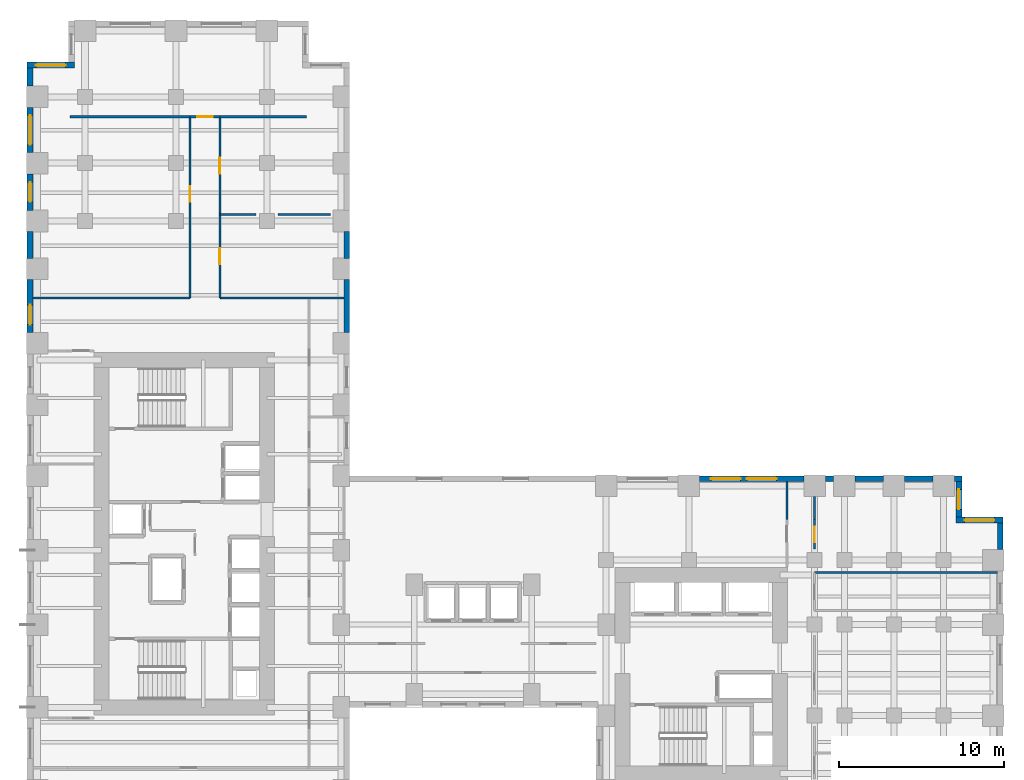
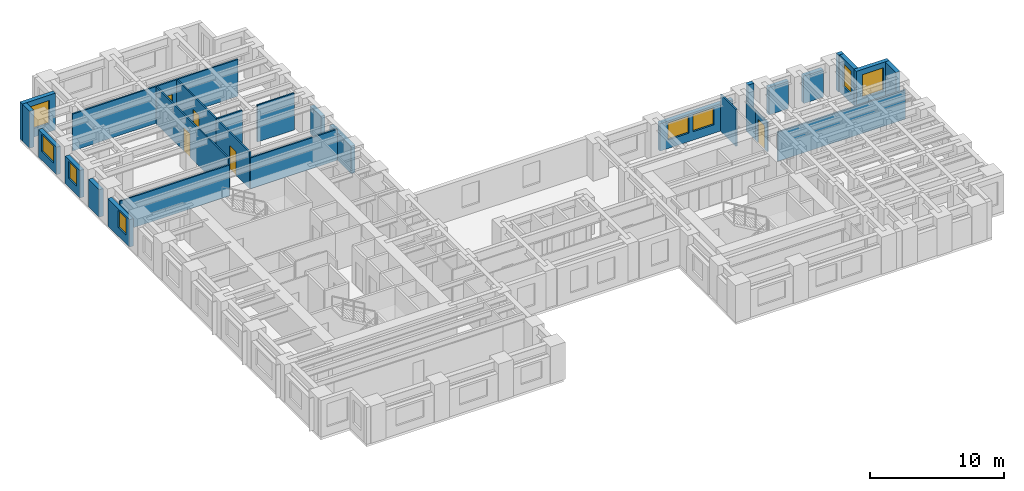
# One storey, part 8 of 11: 30 walls, 8 windows, 5 doors, 13 openings.
"""IFC4 building model written with IfcOpenShell, lengths in metres."""

from ifc_helpers import new_model, si_unit, direction, frame, frame_2d, origin, place, context, subcontext, project, spatial, rectangle, extrude, source, transform, mapped, material, layer, layer_set, type_object, element, fill, save


model = new_model("IFC4")

# Units and contexts
model_context = context("Model", 3, precision=1e-05, world=origin(), true_north=direction((0.0, 1.0)))
body_context = subcontext(model_context, "Body", "Model", "MODEL_VIEW")
ifc_project = project(units=[si_unit("LENGTHUNIT", "METRE"), si_unit("AREAUNIT", "SQUARE_METRE"), si_unit("VOLUMEUNIT", "CUBIC_METRE"), si_unit("PLANEANGLEUNIT", "RADIAN"), si_unit("MASSUNIT", "GRAM", prefix="KILO")], contexts=[model_context])

# Site, building, storey
site_placement = place(None, origin())
site = spatial("IfcSite", under=ifc_project, at=site_placement, CompositionType="ELEMENT")
building_placement = place(site_placement, origin())
building = spatial("IfcBuilding", under=site, at=building_placement, Name="Kharzan Plaza Tower", CompositionType="ELEMENT")
storey_placement = place(building_placement, frame((0.0, 0.0, 54.89990234375)))
storey = spatial("IfcBuildingStorey", under=building, at=storey_placement, Name="L14", CompositionType="ELEMENT", Elevation=54.89990234375)

# Wall, opening, window
ifc_material_1 = material(Name="Concrete C40/50", Category="concrete")
ifc_layer_1 = layer(ifc_material_1, 0.35009765625)
ifc_layer_set_1 = layer_set([ifc_layer_1], Name="Concrete C40/50")
wall_type_1 = type_object("IfcWallType", Name="WL-EXT-MAS-Z1", PredefinedType="SOLIDWALL", material=ifc_layer_set_1)
wall_1_placement = place(storey_placement, frame((2.85009765625, 47.324951171875, 0.0), z_axis=(0.0, 0.0, 1.0), x_axis=(-1.0, 0.0, 0.0)))
wall_1 = element("IfcWall", 1, at=wall_1_placement, inside=storey, type_object=wall_type_1, Name="L14 Masonry-Frame Exterior Wall 08", PredefinedType="SOLIDWALL", context=body_context, shape_type="SweptSolid", body=[
    extrude(rectangle(XDim=2.85009765625, YDim=0.35009765625, at=frame_2d((1.425048828125, 0.0))), origin(), (0.0, 0.0, 1.0), 3.364990234375),
])
opening_1_placement = place(wall_1_placement, frame((0.52490234375, 0.0, 0.780029296875)))
opening_1 = element("IfcOpeningElement", 2, at=opening_1_placement, cuts=wall_1, Name="Opening W1", PredefinedType="OPENING", context=body_context, shape_type="SweptSolid", body=[
    extrude(rectangle(XDim=1.800048828125, YDim=2.10009765625, at=frame_2d((0.89990234375, 1.050048828125))), frame((0.0, 0.18505859375, 0.0), z_axis=(0.0, -1.0, 0.0), x_axis=(1.0, 0.0, 0.0)), (0.0, 0.0, 1.0), 0.3701171875),
])
ifc_material_2 = material(Name="Low-E Double Glazing", Category="glass")
window_type_1 = type_object("IfcWindowType", Name="WN-REC-1800x2100", PartitioningType="SINGLE_PANEL", PredefinedType="WINDOW", material=ifc_material_2)
shared_shape_1 = source(origin(), body_context, "Body", "SweptSolid", [
    extrude(rectangle(XDim=1.800048828125, YDim=2.10009765625, at=frame_2d((0.89990234375, 1.050048828125))), frame((0.0, 0.030029296875, 0.0), z_axis=(0.0, -1.0, 0.0), x_axis=(1.0, 0.0, 0.0)), (0.0, 0.0, 1.0), 0.06005859375),
])
window_1_placement = place(opening_1_placement, origin())
window_1 = element("IfcWindow", 3, at=window_1_placement, inside=storey, type_object=window_type_1, Name="L14 Recessed Solar-Control Window 08-1", OverallHeight=2.10009765625, OverallWidth=1.800048828125, PartitioningType="SINGLE_PANEL", PredefinedType="WINDOW", context=body_context, shape_type="MappedRepresentation", body=[
    mapped(shared_shape_1, transform((0.0, 0.0, 0.0), x_axis=(1.0, 0.0, 0.0), y_axis=(0.0, 1.0, 0.0), z_axis=(0.0, 0.0, 1.0))),
])
fill(opening_1, window_1)

wall_2_placement = place(storey_placement, frame((0.175048828125, 44.751953125, 0.0), z_axis=(0.0, 0.0, 1.0), x_axis=(0.0, -1.0, 0.0)))
wall_2 = element("IfcWall", 4, at=wall_2_placement, inside=storey, type_object=wall_type_1, Name="L14 Masonry-Frame Exterior Wall 10", PredefinedType="SOLIDWALL", context=body_context, shape_type="SweptSolid", body=[
    extrude(rectangle(XDim=2.703857421875, YDim=0.35009765625, at=frame_2d((1.35205078125, 0.0))), origin(), (0.0, 0.0, 1.0), 2.510009765625),
])
opening_2_placement = place(wall_2_placement, frame((0.451904296875, 0.0, 0.780029296875)))
opening_2 = element("IfcOpeningElement", 5, at=opening_2_placement, cuts=wall_2, Name="Opening W1", PredefinedType="OPENING", context=body_context, shape_type="SweptSolid", body=[
    extrude(rectangle(XDim=1.800048828125, YDim=1.550048828125, at=frame_2d((0.89990234375, 0.77490234375))), frame((0.0, 0.18505859375, 0.0), z_axis=(0.0, -1.0, 0.0), x_axis=(1.0, 0.0, 0.0)), (0.0, 0.0, 1.0), 0.3701171875),
])
shared_shape_2 = source(origin(), body_context, "Body", "SweptSolid", [
    extrude(rectangle(XDim=1.800048828125, YDim=1.550048828125, at=frame_2d((0.89990234375, 0.77490234375))), frame((0.0, 0.030029296875, 0.0), z_axis=(0.0, -1.0, 0.0), x_axis=(1.0, 0.0, 0.0)), (0.0, 0.0, 1.0), 0.06005859375),
])
window_2_placement = place(opening_2_placement, origin())
window_2 = element("IfcWindow", 6, at=window_2_placement, inside=storey, type_object=window_type_1, Name="L14 Recessed Solar-Control Window 10-1", OverallHeight=1.550048828125, OverallWidth=1.800048828125, PartitioningType="SINGLE_PANEL", PredefinedType="WINDOW", context=body_context, shape_type="MappedRepresentation", body=[
    mapped(shared_shape_2, transform((0.0, 0.0, 0.0), x_axis=(1.0, 0.0, 0.0), y_axis=(0.0, 1.0, 0.0), z_axis=(0.0, 0.0, 1.0))),
])
fill(opening_2, window_2)

wall_3_placement = place(storey_placement, frame((0.175048828125, 40.751953125, 0.0), z_axis=(0.0, 0.0, 1.0), x_axis=(0.0, -1.0, 0.0)))
wall_3 = element("IfcWall", 7, at=wall_3_placement, inside=storey, type_object=wall_type_1, Name="L14 Masonry-Frame Exterior Wall 11", PredefinedType="SOLIDWALL", context=body_context, shape_type="SweptSolid", body=[
    extrude(rectangle(XDim=2.203857421875, YDim=0.35009765625, at=frame_2d((1.10205078125, 0.0))), origin(), (0.0, 0.0, 1.0), 2.510009765625),
])
opening_3_placement = place(wall_3_placement, frame((0.501953125, 0.0, 0.780029296875)))
opening_3 = element("IfcOpeningElement", 8, at=opening_3_placement, cuts=wall_3, Name="Opening W3", PredefinedType="OPENING", context=body_context, shape_type="SweptSolid", body=[
    extrude(rectangle(XDim=1.199951171875, YDim=1.550048828125, at=frame_2d((0.60009765625, 0.77490234375))), frame((0.0, 0.18505859375, 0.0), z_axis=(0.0, -1.0, 0.0), x_axis=(1.0, 0.0, 0.0)), (0.0, 0.0, 1.0), 0.3701171875),
])
window_type_2 = type_object("IfcWindowType", Name="WN-REC-1200x2100", PartitioningType="SINGLE_PANEL", PredefinedType="WINDOW", material=ifc_material_2)
shared_shape_3 = source(origin(), body_context, "Body", "SweptSolid", [
    extrude(rectangle(XDim=1.199951171875, YDim=1.550048828125, at=frame_2d((0.60009765625, 0.77490234375))), frame((0.0, 0.030029296875, 0.0), z_axis=(0.0, -1.0, 0.0), x_axis=(1.0, 0.0, 0.0)), (0.0, 0.0, 1.0), 0.06005859375),
])
window_3_placement = place(opening_3_placement, origin())
window_3 = element("IfcWindow", 9, at=window_3_placement, inside=storey, type_object=window_type_2, Name="L14 Recessed Solar-Control Window 11-1", OverallHeight=1.550048828125, OverallWidth=1.199951171875, PartitioningType="SINGLE_PANEL", PredefinedType="WINDOW", context=body_context, shape_type="MappedRepresentation", body=[
    mapped(shared_shape_3, transform((0.0, 0.0, 0.0), x_axis=(1.0, 0.0, 0.0), y_axis=(0.0, 1.0, 0.0), z_axis=(0.0, 0.0, 1.0))),
])
fill(opening_3, window_3)

wall_4_placement = place(storey_placement, frame((0.175048828125, 34.35205078125, 0.0), z_axis=(0.0, 0.0, 1.0), x_axis=(0.0, -1.0, 0.0)))
wall_4 = element("IfcWall", 10, at=wall_4_placement, inside=storey, type_object=wall_type_1, Name="L14 Masonry-Frame Exterior Wall 13", PredefinedType="SOLIDWALL", context=body_context, shape_type="SweptSolid", body=[
    extrude(rectangle(XDim=3.2041015625, YDim=0.35009765625, at=frame_2d((1.60205078125, 0.0))), origin(), (0.0, 0.0, 1.0), 2.510009765625),
])
opening_4_placement = place(wall_4_placement, frame((1.51806640625, 0.0, 0.780029296875)))
opening_4 = element("IfcOpeningElement", 11, at=opening_4_placement, cuts=wall_4, Name="Opening W3", PredefinedType="OPENING", context=body_context, shape_type="SweptSolid", body=[
    extrude(rectangle(XDim=1.199951171875, YDim=1.550048828125, at=frame_2d((0.60009765625, 0.77490234375))), frame((0.0, 0.18505859375, 0.0), z_axis=(0.0, -1.0, 0.0), x_axis=(1.0, 0.0, 0.0)), (0.0, 0.0, 1.0), 0.3701171875),
])
window_4_placement = place(opening_4_placement, origin())
window_4 = element("IfcWindow", 12, at=window_4_placement, inside=storey, type_object=window_type_2, Name="L14 Recessed Solar-Control Window 13-1", OverallHeight=1.550048828125, OverallWidth=1.199951171875, PartitioningType="SINGLE_PANEL", PredefinedType="WINDOW", context=body_context, shape_type="MappedRepresentation", body=[
    mapped(shared_shape_3, transform((0.0, 0.0, 0.0), x_axis=(1.0, 0.0, 0.0), y_axis=(0.0, 1.0, 0.0), z_axis=(0.0, 0.0, 1.0))),
])
fill(opening_4, window_4)

wall_5_placement = place(storey_placement, frame((59.0, 19.824951171875, 0.0), z_axis=(0.0, 0.0, 1.0), x_axis=(-1.0, 0.0, 0.0)))
wall_5 = element("IfcWall", 13, at=wall_5_placement, inside=storey, type_object=wall_type_1, Name="L14 Masonry-Frame Exterior Wall 45", PredefinedType="SOLIDWALL", context=body_context, shape_type="SweptSolid", body=[
    extrude(rectangle(XDim=2.85009765625, YDim=0.35009765625, at=frame_2d((1.425048828125, 0.0))), origin(), (0.0, 0.0, 1.0), 3.364990234375),
])
opening_5_placement = place(wall_5_placement, frame((0.52490234375, 0.0, 0.780029296875)))
opening_5 = element("IfcOpeningElement", 14, at=opening_5_placement, cuts=wall_5, Name="Opening W1", PredefinedType="OPENING", context=body_context, shape_type="SweptSolid", body=[
    extrude(rectangle(XDim=1.800048828125, YDim=2.10009765625, at=frame_2d((0.89990234375, 1.050048828125))), frame((0.0, 0.18505859375, 0.0), z_axis=(0.0, -1.0, 0.0), x_axis=(1.0, 0.0, 0.0)), (0.0, 0.0, 1.0), 0.3701171875),
])
window_5_placement = place(opening_5_placement, origin())
window_5 = element("IfcWindow", 15, at=window_5_placement, inside=storey, type_object=window_type_1, Name="L14 Recessed Solar-Control Window 45-1", OverallHeight=2.10009765625, OverallWidth=1.800048828125, PartitioningType="SINGLE_PANEL", PredefinedType="WINDOW", context=body_context, shape_type="MappedRepresentation", body=[
    mapped(shared_shape_1, transform((0.0, 0.0, 0.0), x_axis=(1.0, 0.0, 0.0), y_axis=(0.0, 1.0, 0.0), z_axis=(0.0, 0.0, 1.0))),
])
fill(opening_5, window_5)

wall_6_placement = place(storey_placement, frame((56.324951171875, 19.998046875, 0.0), z_axis=(0.0, 0.0, 1.0), x_axis=(0.0, 1.0, 0.0)))
wall_6 = element("IfcWall", 16, at=wall_6_placement, inside=storey, type_object=wall_type_1, Name="L14 Masonry-Frame Exterior Wall 46", PredefinedType="SOLIDWALL", context=body_context, shape_type="SweptSolid", body=[
    extrude(rectangle(XDim=2.154052734375, YDim=0.35009765625, at=frame_2d((1.0771484375, 0.0))), origin(), (0.0, 0.0, 1.0), 3.364990234375),
])
opening_6_placement = place(wall_6_placement, frame((0.47705078125, 0.0, 0.780029296875)))
opening_6 = element("IfcOpeningElement", 17, at=opening_6_placement, cuts=wall_6, Name="Opening W3", PredefinedType="OPENING", context=body_context, shape_type="SweptSolid", body=[
    extrude(rectangle(XDim=1.199951171875, YDim=2.10009765625, at=frame_2d((0.60009765625, 1.050048828125))), frame((0.0, 0.18505859375, 0.0), z_axis=(0.0, -1.0, 0.0), x_axis=(1.0, 0.0, 0.0)), (0.0, 0.0, 1.0), 0.3701171875),
])
shared_shape_4 = source(origin(), body_context, "Body", "SweptSolid", [
    extrude(rectangle(XDim=1.199951171875, YDim=2.10009765625, at=frame_2d((0.60009765625, 1.050048828125))), frame((0.0, 0.030029296875, 0.0), z_axis=(0.0, -1.0, 0.0), x_axis=(1.0, 0.0, 0.0)), (0.0, 0.0, 1.0), 0.06005859375),
])
window_6_placement = place(opening_6_placement, origin())
window_6 = element("IfcWindow", 18, at=window_6_placement, inside=storey, type_object=window_type_2, Name="L14 Recessed Solar-Control Window 46-1", OverallHeight=2.10009765625, OverallWidth=1.199951171875, PartitioningType="SINGLE_PANEL", PredefinedType="WINDOW", context=body_context, shape_type="MappedRepresentation", body=[
    mapped(shared_shape_4, transform((0.0, 0.0, 0.0), x_axis=(1.0, 0.0, 0.0), y_axis=(0.0, 1.0, 0.0), z_axis=(0.0, 0.0, 1.0))),
])
fill(opening_6, window_6)

# Wall, openings, windows
wall_7_placement = place(storey_placement, frame((46.951904296875, 22.324951171875, 0.0), z_axis=(0.0, 0.0, 1.0), x_axis=(-1.0, 0.0, 0.0)))
wall_7 = element("IfcWall", 19, at=wall_7_placement, inside=storey, type_object=wall_type_1, Name="L14 Masonry-Frame Exterior Wall 51", PredefinedType="SOLIDWALL", context=body_context, shape_type="SweptSolid", body=[
    extrude(rectangle(XDim=6.303955078125, YDim=0.35009765625, at=frame_2d((3.15185546875, 0.0))), origin(), (0.0, 0.0, 1.0), 2.510009765625),
])
opening_7_placement = place(wall_7_placement, frame((1.6494140625, 0.0, 0.780029296875)))
opening_7 = element("IfcOpeningElement", 20, at=opening_7_placement, cuts=wall_7, Name="Opening W1", PredefinedType="OPENING", context=body_context, shape_type="SweptSolid", body=[
    extrude(rectangle(XDim=1.800048828125, YDim=1.550048828125, at=frame_2d((0.89990234375, 0.77490234375))), frame((0.0, 0.18505859375, 0.0), z_axis=(0.0, -1.0, 0.0), x_axis=(1.0, 0.0, 0.0)), (0.0, 0.0, 1.0), 0.3701171875),
])
opening_8_placement = place(wall_7_placement, frame((3.816650390625, 0.0, 0.780029296875)))
opening_8 = element("IfcOpeningElement", 21, at=opening_8_placement, cuts=wall_7, Name="Opening W1", PredefinedType="OPENING", context=body_context, shape_type="SweptSolid", body=[
    extrude(rectangle(XDim=1.800048828125, YDim=1.550048828125, at=frame_2d((0.89990234375, 0.77490234375))), frame((0.0, 0.18505859375, 0.0), z_axis=(0.0, -1.0, 0.0), x_axis=(1.0, 0.0, 0.0)), (0.0, 0.0, 1.0), 0.3701171875),
])
window_7_placement = place(opening_7_placement, origin())
window_7 = element("IfcWindow", 22, at=window_7_placement, inside=storey, type_object=window_type_1, Name="L14 Recessed Solar-Control Window 51-1", OverallHeight=1.550048828125, OverallWidth=1.800048828125, PartitioningType="SINGLE_PANEL", PredefinedType="WINDOW", context=body_context, shape_type="MappedRepresentation", body=[
    mapped(shared_shape_2, transform((0.0, 0.0, 0.0), x_axis=(1.0, 0.0, 0.0), y_axis=(0.0, 1.0, 0.0), z_axis=(0.0, 0.0, 1.0))),
])
fill(opening_7, window_7)
window_8_placement = place(opening_8_placement, origin())
window_8 = element("IfcWindow", 23, at=window_8_placement, inside=storey, type_object=window_type_1, Name="L14 Recessed Solar-Control Window 51-2", OverallHeight=1.550048828125, OverallWidth=1.800048828125, PartitioningType="SINGLE_PANEL", PredefinedType="WINDOW", context=body_context, shape_type="MappedRepresentation", body=[
    mapped(shared_shape_2, transform((0.0, 0.0, 0.0), x_axis=(1.0, 0.0, 0.0), y_axis=(0.0, 1.0, 0.0), z_axis=(0.0, 0.0, 1.0))),
])
fill(opening_8, window_8)

# Wall, opening, door
ifc_material_3 = material(Name="Fire-Rated Gypsum Board Partition", Category="gypsum")
ifc_layer_2 = layer(ifc_material_3, 0.125)
ifc_layer_set_2 = layer_set([ifc_layer_2], Name="Fire-Rated Gypsum Board Partition")
wall_type_2 = type_object("IfcWallType", Name="WL-INT-PART-125", PredefinedType="PARTITIONING", material=ifc_layer_set_2)
wall_8_placement = place(storey_placement, frame((47.60009765625, 18.06005859375, 0.0), z_axis=(0.0, 0.0, 1.0), x_axis=(0.0, 1.0, 0.0)))
wall_8 = element("IfcWall", 24, at=wall_8_placement, inside=storey, type_object=wall_type_2, Name="L14 Interior Partition SH-B3W2", PredefinedType="PARTITIONING", context=body_context, shape_type="SweptSolid", body=[
    extrude(rectangle(XDim=1.7900390625, YDim=0.125, at=frame_2d((0.89501953125, 0.0))), origin(), (0.0, 0.0, 1.0), 2.670166015625),
])
opening_9_placement = place(wall_8_placement, frame((0.419921875, 0.0, 0.0)))
opening_9 = element("IfcOpeningElement", 25, at=opening_9_placement, cuts=wall_8, Name="Opening OD1", PredefinedType="OPENING", context=body_context, shape_type="SweptSolid", body=[
    extrude(rectangle(XDim=0.949951171875, YDim=2.14990234375, at=frame_2d((0.47509765625, 1.074951171875))), frame((0.0, 0.072509765625, 0.0), z_axis=(0.0, -1.0, 0.0), x_axis=(1.0, 0.0, 0.0)), (0.0, 0.0, 1.0), 0.14501953125),
])
ifc_material_4 = material(Name="Acoustic Solid-Core Stained Oak", Category="timber")
door_type = type_object("IfcDoorType", Name="DR-OFF-SINGLE", OperationType="NOTDEFINED", PredefinedType="DOOR", material=ifc_material_4)
shared_shape_5 = source(origin(), body_context, "Body", "SweptSolid", [
    extrude(rectangle(XDim=0.949951171875, YDim=2.14990234375, at=frame_2d((0.47509765625, 1.074951171875))), frame((0.0, 0.02490234375, 0.0), z_axis=(0.0, -1.0, 0.0), x_axis=(1.0, 0.0, 0.0)), (0.0, 0.0, 1.0), 0.050048828125),
])
door_1_placement = place(opening_9_placement, origin())
door_1 = element("IfcDoor", 26, at=door_1_placement, inside=storey, type_object=door_type, Name="L14 Wing B Office 3 Door", OperationType="SINGLE_SWING_RIGHT", OverallHeight=2.14990234375, OverallWidth=0.949951171875, PredefinedType="DOOR", context=body_context, shape_type="MappedRepresentation", body=[
    mapped(shared_shape_5, transform((0.0, 0.0, 0.0), x_axis=(1.0, 0.0, 0.0), y_axis=(0.0, 1.0, 0.0), z_axis=(0.0, 0.0, 1.0))),
])
fill(opening_9, door_1)

wall_9_placement = place(storey_placement, frame((11.64990234375, 33.25, 0.0), z_axis=(0.0, 0.0, 1.0), x_axis=(0.0, 1.0, 0.0)))
wall_9 = element("IfcWall", 27, at=wall_9_placement, inside=storey, type_object=wall_type_2, Name="L14 Interior Partition SH-SPE-1", PredefinedType="PARTITIONING", context=body_context, shape_type="SweptSolid", body=[
    extrude(rectangle(XDim=5.037109375, YDim=0.125, at=frame_2d((2.5185546875, 0.0))), origin(), (0.0, 0.0, 1.0), 3.364990234375),
])
opening_10_placement = place(wall_9_placement, frame((2.04345703125, 0.0, 0.0)))
opening_10 = element("IfcOpeningElement", 28, at=opening_10_placement, cuts=wall_9, Name="Opening OD1", PredefinedType="OPENING", context=body_context, shape_type="SweptSolid", body=[
    extrude(rectangle(XDim=0.949951171875, YDim=2.14990234375, at=frame_2d((0.47509765625, 1.074951171875))), frame((0.0, 0.072509765625, 0.0), z_axis=(0.0, -1.0, 0.0), x_axis=(1.0, 0.0, 0.0)), (0.0, 0.0, 1.0), 0.14501953125),
])
door_2_placement = place(opening_10_placement, origin())
door_2 = element("IfcDoor", 29, at=door_2_placement, inside=storey, type_object=door_type, Name="L14 Physiotherapy Treatment Room Door", OperationType="SINGLE_SWING_RIGHT", OverallHeight=2.14990234375, OverallWidth=0.949951171875, PredefinedType="DOOR", context=body_context, shape_type="MappedRepresentation", body=[
    mapped(shared_shape_5, transform((0.0, 0.0, 0.0), x_axis=(1.0, 0.0, 0.0), y_axis=(0.0, 1.0, 0.0), z_axis=(0.0, 0.0, 1.0))),
])
fill(opening_10, door_2)

wall_10_placement = place(storey_placement, frame((11.64990234375, 38.287109375, 0.0), z_axis=(0.0, 0.0, 1.0), x_axis=(0.0, 1.0, 0.0)))
wall_10 = element("IfcWall", 30, at=wall_10_placement, inside=storey, type_object=wall_type_2, Name="L14 Interior Partition SH-SPE-2", PredefinedType="PARTITIONING", context=body_context, shape_type="SweptSolid", body=[
    extrude(rectangle(XDim=5.912841796875, YDim=0.125, at=frame_2d((2.95654296875, 0.0))), origin(), (0.0, 0.0, 1.0), 3.364990234375),
])
opening_11_placement = place(wall_10_placement, frame((2.4814453125, 0.0, 0.0)))
opening_11 = element("IfcOpeningElement", 31, at=opening_11_placement, cuts=wall_10, Name="Opening OD1", PredefinedType="OPENING", context=body_context, shape_type="SweptSolid", body=[
    extrude(rectangle(XDim=0.949951171875, YDim=2.14990234375, at=frame_2d((0.47509765625, 1.074951171875))), frame((0.0, 0.072509765625, 0.0), z_axis=(0.0, -1.0, 0.0), x_axis=(1.0, 0.0, 0.0)), (0.0, 0.0, 1.0), 0.14501953125),
])
door_3_placement = place(opening_11_placement, origin())
door_3 = element("IfcDoor", 32, at=door_3_placement, inside=storey, type_object=door_type, Name="L14 Occupational Health Treatment Room Door", OperationType="SINGLE_SWING_LEFT", OverallHeight=2.14990234375, OverallWidth=0.949951171875, PredefinedType="DOOR", context=body_context, shape_type="MappedRepresentation", body=[
    mapped(shared_shape_5, transform((0.0, 0.0, 0.0), x_axis=(1.0, 0.0, 0.0), y_axis=(0.0, 1.0, 0.0), z_axis=(0.0, 0.0, 1.0))),
])
fill(opening_11, door_3)

wall_11_placement = place(storey_placement, frame((9.85009765625, 44.199951171875, 0.0), z_axis=(0.0, 0.0, 1.0), x_axis=(1.0, 0.0, 0.0)))
wall_11 = element("IfcWall", 33, at=wall_11_placement, inside=storey, type_object=wall_type_2, Name="L14 Interior Partition SH-SPHD", PredefinedType="PARTITIONING", context=body_context, shape_type="SweptSolid", body=[
    extrude(rectangle(XDim=1.7998046875, YDim=0.125, at=frame_2d((0.89990234375, 0.0))), origin(), (0.0, 0.0, 1.0), 3.364990234375),
])
opening_12_placement = place(wall_11_placement, frame((0.425048828125, 0.0, 0.0)))
opening_12 = element("IfcOpeningElement", 34, at=opening_12_placement, cuts=wall_11, Name="Opening OD1", PredefinedType="OPENING", context=body_context, shape_type="SweptSolid", body=[
    extrude(rectangle(XDim=0.949951171875, YDim=2.14990234375, at=frame_2d((0.47509765625, 1.074951171875))), frame((0.0, 0.072509765625, 0.0), z_axis=(0.0, -1.0, 0.0), x_axis=(1.0, 0.0, 0.0)), (0.0, 0.0, 1.0), 0.14501953125),
])
door_4_placement = place(opening_12_placement, origin())
door_4 = element("IfcDoor", 35, at=door_4_placement, inside=storey, type_object=door_type, Name="L14 North Boardroom Door", OperationType="SINGLE_SWING_RIGHT", OverallHeight=2.14990234375, OverallWidth=0.949951171875, PredefinedType="DOOR", context=body_context, shape_type="MappedRepresentation", body=[
    mapped(shared_shape_5, transform((0.0, 0.0, 0.0), x_axis=(1.0, 0.0, 0.0), y_axis=(0.0, 1.0, 0.0), z_axis=(0.0, 0.0, 1.0))),
])
fill(opening_12, door_4)

wall_12_placement = place(storey_placement, frame((9.85009765625, 33.25, 0.0), z_axis=(0.0, 0.0, 1.0), x_axis=(0.0, 1.0, 0.0)))
wall_12 = element("IfcWall", 36, at=wall_12_placement, inside=storey, type_object=wall_type_2, Name="L14 Interior Partition SH-SPW-1", PredefinedType="PARTITIONING", context=body_context, shape_type="SweptSolid", body=[
    extrude(rectangle(XDim=10.949951171875, YDim=0.125, at=frame_2d((5.47509765625, 0.0))), origin(), (0.0, 0.0, 1.0), 3.364990234375),
])
opening_13_placement = place(wall_12_placement, frame((5.80322265625, 0.0, 0.0)))
opening_13 = element("IfcOpeningElement", 37, at=opening_13_placement, cuts=wall_12, Name="Opening OD1", PredefinedType="OPENING", context=body_context, shape_type="SweptSolid", body=[
    extrude(rectangle(XDim=0.949951171875, YDim=2.14990234375, at=frame_2d((0.47509765625, 1.074951171875))), frame((0.0, 0.072509765625, 0.0), z_axis=(0.0, -1.0, 0.0), x_axis=(1.0, 0.0, 0.0)), (0.0, 0.0, 1.0), 0.14501953125),
])
door_5_placement = place(opening_13_placement, origin())
door_5 = element("IfcDoor", 38, at=door_5_placement, inside=storey, type_object=door_type, Name="L14 Safety Briefing Room Door", OperationType="SINGLE_SWING_LEFT", OverallHeight=2.14990234375, OverallWidth=0.949951171875, PredefinedType="DOOR", context=body_context, shape_type="MappedRepresentation", body=[
    mapped(shared_shape_5, transform((0.0, 0.0, 0.0), x_axis=(1.0, 0.0, 0.0), y_axis=(0.0, 1.0, 0.0), z_axis=(0.0, 0.0, 1.0))),
])
fill(opening_13, door_5)

# Walls
shared_shape_6 = source(origin(), body_context, "Body", "SweptSolid", [
    extrude(rectangle(XDim=1.10400390625, YDim=0.35009765625, at=frame_2d((0.552001953125, 0.0))), origin(), (0.0, 0.0, 1.0), 3.364990234375),
])
wall_13_placement = place(storey_placement, frame((0.175048828125, 47.152099609375, 0.0), z_axis=(0.0, 0.0, 1.0), x_axis=(0.0, -1.0, 0.0)))
element("IfcWall", 39, at=wall_13_placement, inside=storey, type_object=wall_type_1, Name="L14 Masonry-Frame Exterior Wall 09", PredefinedType="SOLIDWALL", context=body_context, shape_type="MappedRepresentation", body=[
    mapped(shared_shape_6, transform((0.0, 0.0, 0.0), x_axis=(1.0, 0.0, 0.0), y_axis=(0.0, 1.0, 0.0), z_axis=(0.0, 0.0, 1.0))),
])
shared_shape_7 = source(origin(), body_context, "Body", "SweptSolid", [
    extrude(rectangle(XDim=1.60400390625, YDim=0.35009765625, at=frame_2d((0.802001953125, 0.0))), origin(), (0.0, 0.0, 1.0), 2.510009765625),
])
for number, where, z_axis, x_axis, name in (
    (40, (0.175048828125, 37.251953125, 0.0), (0.0, 0.0, 1.0), (0.0, -1.0, 0.0), "L14 Masonry-Frame Exterior Wall 12"),
    (41, (19.324951171875, 35.64794921875, 0.0), (0.0, 0.0, 1.0), (0.0, 1.0, 0.0), "L14 Masonry-Frame Exterior Wall 57"),
):
    element("IfcWall", number, at=place(storey_placement, frame(where, z_axis=z_axis, x_axis=x_axis)), inside=storey, type_object=wall_type_1, Name=name, PredefinedType="SOLIDWALL", context=body_context, shape_type="MappedRepresentation", body=[
        mapped(shared_shape_7, transform((0.0, 0.0, 0.0), x_axis=(1.0, 0.0, 0.0), y_axis=(0.0, 1.0, 0.0), z_axis=(0.0, 0.0, 1.0))),
    ])
shared_shape_8 = source(origin(), body_context, "Body", "SweptSolid", [
    extrude(rectangle(XDim=0.50390625, YDim=0.35009765625, at=frame_2d((0.251953125, 0.0))), origin(), (0.0, 0.0, 1.0), 3.364990234375),
])
wall_14_placement = place(storey_placement, frame((48.751953125, 22.324951171875, 0.0), z_axis=(0.0, 0.0, 1.0), x_axis=(-1.0, 0.0, 0.0)))
element("IfcWall", 42, at=wall_14_placement, inside=storey, type_object=wall_type_1, Name="L14 Masonry-Frame Exterior Wall 50", PredefinedType="SOLIDWALL", context=body_context, shape_type="MappedRepresentation", body=[
    mapped(shared_shape_8, transform((0.0, 0.0, 0.0), x_axis=(1.0, 0.0, 0.0), y_axis=(0.0, 1.0, 0.0), z_axis=(0.0, 0.0, 1.0))),
])
shared_shape_9 = source(origin(), body_context, "Body", "SweptSolid", [
    extrude(rectangle(XDim=1.703857421875, YDim=0.35009765625, at=frame_2d((0.85205078125, 0.0))), origin(), (0.0, 0.0, 1.0), 2.510009765625),
])
for number, where, z_axis, x_axis, name in (
    (43, (54.751953125, 22.324951171875, 0.0), (0.0, 0.0, 1.0), (-1.0, 0.0, 0.0), "L14 Masonry-Frame Exterior Wall 48"),
    (44, (51.751953125, 22.324951171875, 0.0), (0.0, 0.0, 1.0), (-1.0, 0.0, 0.0), "L14 Masonry-Frame Exterior Wall 49"),
):
    element("IfcWall", number, at=place(storey_placement, frame(where, z_axis=z_axis, x_axis=x_axis)), inside=storey, type_object=wall_type_1, Name=name, PredefinedType="SOLIDWALL", context=body_context, shape_type="MappedRepresentation", body=[
        mapped(shared_shape_9, transform((0.0, 0.0, 0.0), x_axis=(1.0, 0.0, 0.0), y_axis=(0.0, 1.0, 0.0), z_axis=(0.0, 0.0, 1.0))),
    ])
shared_shape_10 = source(origin(), body_context, "Body", "SweptSolid", [
    extrude(rectangle(XDim=0.451904296875, YDim=0.35009765625, at=frame_2d((0.22607421875, 0.0))), origin(), (0.0, 0.0, 1.0), 3.364990234375),
])
wall_15_placement = place(storey_placement, frame((56.5, 22.324951171875, 0.0), z_axis=(0.0, 0.0, 1.0), x_axis=(-1.0, 0.0, 0.0)))
element("IfcWall", 45, at=wall_15_placement, inside=storey, type_object=wall_type_1, Name="L14 Masonry-Frame Exterior Wall 47", PredefinedType="SOLIDWALL", context=body_context, shape_type="MappedRepresentation", body=[
    mapped(shared_shape_10, transform((0.0, 0.0, 0.0), x_axis=(1.0, 0.0, 0.0), y_axis=(0.0, 1.0, 0.0), z_axis=(0.0, 0.0, 1.0))),
])
shared_shape_11 = source(origin(), body_context, "Body", "SweptSolid", [
    extrude(rectangle(XDim=3.2041015625, YDim=0.35009765625, at=frame_2d((1.60205078125, 0.0))), origin(), (0.0, 0.0, 1.0), 2.510009765625),
])
wall_16_placement = place(storey_placement, frame((19.324951171875, 31.14794921875, 0.0), z_axis=(0.0, 0.0, 1.0), x_axis=(0.0, 1.0, 0.0)))
element("IfcWall", 46, at=wall_16_placement, inside=storey, type_object=wall_type_1, Name="L14 Masonry-Frame Exterior Wall 56", PredefinedType="SOLIDWALL", context=body_context, shape_type="MappedRepresentation", body=[
    mapped(shared_shape_11, transform((0.0, 0.0, 0.0), x_axis=(1.0, 0.0, 0.0), y_axis=(0.0, 1.0, 0.0), z_axis=(0.0, 0.0, 1.0))),
])
shared_shape_12 = source(origin(), body_context, "Body", "SweptSolid", [
    extrude(rectangle(XDim=1.60400390625, YDim=0.35009765625, at=frame_2d((0.802001953125, 0.0))), origin(), (0.0, 0.0, 1.0), 3.364990234375),
])
wall_17_placement = place(storey_placement, frame((58.824951171875, 18.048095703125, 0.0), z_axis=(0.0, 0.0, 1.0), x_axis=(0.0, 1.0, 0.0)))
element("IfcWall", 47, at=wall_17_placement, inside=storey, type_object=wall_type_1, Name="L14 Masonry-Frame Exterior Wall 44", PredefinedType="SOLIDWALL", context=body_context, shape_type="MappedRepresentation", body=[
    mapped(shared_shape_12, transform((0.0, 0.0, 0.0), x_axis=(1.0, 0.0, 0.0), y_axis=(0.0, 1.0, 0.0), z_axis=(0.0, 0.0, 1.0))),
])
shared_shape_13 = source(origin(), body_context, "Body", "SweptSolid", [
    extrude(rectangle(XDim=2.2978515625, YDim=0.125, at=frame_2d((1.14892578125, 0.0))), origin(), (0.0, 0.0, 1.0), 3.364990234375),
])
wall_18_placement = place(storey_placement, frame((45.919921875, 19.85009765625, 0.0), z_axis=(0.0, 0.0, 1.0), x_axis=(0.0, 1.0, 0.0)))
element("IfcWall", 48, at=wall_18_placement, inside=storey, type_object=wall_type_2, Name="L14 Interior Partition SH-RBNE0", PredefinedType="PARTITIONING", context=body_context, shape_type="MappedRepresentation", body=[
    mapped(shared_shape_13, transform((0.0, 0.0, 0.0), x_axis=(1.0, 0.0, 0.0), y_axis=(0.0, 1.0, 0.0), z_axis=(0.0, 0.0, 1.0))),
])
shared_shape_14 = source(origin(), body_context, "Body", "SweptSolid", [
    extrude(rectangle(XDim=1.389892578125, YDim=0.125, at=frame_2d((0.69482421875, 0.0))), origin(), (0.0, 0.0, 1.0), 2.670166015625),
])
wall_19_placement = place(storey_placement, frame((47.60009765625, 19.85009765625, 0.0), z_axis=(0.0, 0.0, 1.0), x_axis=(0.0, 1.0, 0.0)))
element("IfcWall", 49, at=wall_19_placement, inside=storey, type_object=wall_type_2, Name="L14 Interior Partition SH-B3W2N", PredefinedType="PARTITIONING", context=body_context, shape_type="MappedRepresentation", body=[
    mapped(shared_shape_14, transform((0.0, 0.0, 0.0), x_axis=(1.0, 0.0, 0.0), y_axis=(0.0, 1.0, 0.0), z_axis=(0.0, 0.0, 1.0))),
])
shared_shape_15 = source(origin(), body_context, "Body", "SweptSolid", [
    extrude(rectangle(XDim=2.190185546875, YDim=0.125, at=frame_2d((1.09521484375, 0.0))), origin(), (0.0, 0.0, 1.0), 3.364990234375),
])
wall_20_placement = place(storey_placement, frame((11.64990234375, 38.287109375, 0.0), z_axis=(0.0, 0.0, 1.0), x_axis=(1.0, 0.0, 0.0)))
element("IfcWall", 50, at=wall_20_placement, inside=storey, type_object=wall_type_2, Name="L14 Interior Partition SH-NEH-1-S1", PredefinedType="PARTITIONING", context=body_context, shape_type="MappedRepresentation", body=[
    mapped(shared_shape_15, transform((0.0, 0.0, 0.0), x_axis=(1.0, 0.0, 0.0), y_axis=(0.0, 1.0, 0.0), z_axis=(0.0, 0.0, 1.0))),
])
shared_shape_16 = source(origin(), body_context, "Body", "SweptSolid", [
    extrude(rectangle(XDim=3.18017578125, YDim=0.125, at=frame_2d((1.590087890625, 0.0))), origin(), (0.0, 0.0, 1.0), 3.364990234375),
])
wall_21_placement = place(storey_placement, frame((15.159912109375, 38.287109375, 0.0), z_axis=(0.0, 0.0, 1.0), x_axis=(1.0, 0.0, 0.0)))
element("IfcWall", 51, at=wall_21_placement, inside=storey, type_object=wall_type_2, Name="L14 Interior Partition SH-NEH-1-S2", PredefinedType="PARTITIONING", context=body_context, shape_type="MappedRepresentation", body=[
    mapped(shared_shape_16, transform((0.0, 0.0, 0.0), x_axis=(1.0, 0.0, 0.0), y_axis=(0.0, 1.0, 0.0), z_axis=(0.0, 0.0, 1.0))),
])
shared_shape_17 = source(origin(), body_context, "Body", "SweptSolid", [
    extrude(rectangle(XDim=5.25, YDim=0.125, at=frame_2d((2.625, 0.0))), origin(), (0.0, 0.0, 1.0), 3.364990234375),
])
wall_22_placement = place(storey_placement, frame((11.64990234375, 44.199951171875, 0.0), z_axis=(0.0, 0.0, 1.0), x_axis=(1.0, 0.0, 0.0)))
element("IfcWall", 52, at=wall_22_placement, inside=storey, type_object=wall_type_2, Name="L14 Interior Partition SH-SPHE", PredefinedType="PARTITIONING", context=body_context, shape_type="MappedRepresentation", body=[
    mapped(shared_shape_17, transform((0.0, 0.0, 0.0), x_axis=(1.0, 0.0, 0.0), y_axis=(0.0, 1.0, 0.0), z_axis=(0.0, 0.0, 1.0))),
])
shared_shape_18 = source(origin(), body_context, "Body", "SweptSolid", [
    extrude(rectangle(XDim=7.25, YDim=0.125, at=frame_2d((3.625, 0.0))), origin(), (0.0, 0.0, 1.0), 3.364990234375),
])
wall_23_placement = place(storey_placement, frame((2.60009765625, 44.199951171875, 0.0), z_axis=(0.0, 0.0, 1.0), x_axis=(1.0, 0.0, 0.0)))
element("IfcWall", 53, at=wall_23_placement, inside=storey, type_object=wall_type_2, Name="L14 Interior Partition SH-SPHW", PredefinedType="PARTITIONING", context=body_context, shape_type="MappedRepresentation", body=[
    mapped(shared_shape_18, transform((0.0, 0.0, 0.0), x_axis=(1.0, 0.0, 0.0), y_axis=(0.0, 1.0, 0.0), z_axis=(0.0, 0.0, 1.0))),
])
shared_shape_19 = source(origin(), body_context, "Body", "SweptSolid", [
    extrude(rectangle(XDim=11.0478515625, YDim=0.125, at=frame_2d((5.52392578125, 0.0))), origin(), (0.0, 0.0, 1.0), 2.670166015625),
])
wall_24_placement = place(storey_placement, frame((47.60009765625, 16.64990234375, 0.0), z_axis=(0.0, 0.0, 1.0), x_axis=(1.0, 0.0, 0.0)))
element("IfcWall", 54, at=wall_24_placement, inside=storey, type_object=wall_type_2, Name="L14 Interior Partition SH-B3H-166", PredefinedType="PARTITIONING", context=body_context, shape_type="MappedRepresentation", body=[
    mapped(shared_shape_19, transform((0.0, 0.0, 0.0), x_axis=(1.0, 0.0, 0.0), y_axis=(0.0, 1.0, 0.0), z_axis=(0.0, 0.0, 1.0))),
])
shared_shape_20 = source(origin(), body_context, "Body", "SweptSolid", [
    extrude(rectangle(XDim=7.498046875, YDim=0.125, at=frame_2d((3.7490234375, 0.0))), origin(), (0.0, 0.0, 1.0), 2.828125),
])
wall_25_placement = place(storey_placement, frame((11.64990234375, 33.25, 0.0), z_axis=(0.0, 0.0, 1.0), x_axis=(1.0, 0.0, 0.0)))
element("IfcWall", 55, at=wall_25_placement, inside=storey, type_object=wall_type_2, Name="L14 Interior Partition SH-NNE", PredefinedType="PARTITIONING", context=body_context, shape_type="MappedRepresentation", body=[
    mapped(shared_shape_20, transform((0.0, 0.0, 0.0), x_axis=(1.0, 0.0, 0.0), y_axis=(0.0, 1.0, 0.0), z_axis=(0.0, 0.0, 1.0))),
])
shared_shape_21 = source(origin(), body_context, "Body", "SweptSolid", [
    extrude(rectangle(XDim=9.498046875, YDim=0.125, at=frame_2d((4.7490234375, 0.0))), origin(), (0.0, 0.0, 1.0), 2.828125),
])
wall_26_placement = place(storey_placement, frame((0.35205078125, 33.25, 0.0), z_axis=(0.0, 0.0, 1.0), x_axis=(1.0, 0.0, 0.0)))
element("IfcWall", 56, at=wall_26_placement, inside=storey, type_object=wall_type_2, Name="L14 Interior Partition SH-NNW", PredefinedType="PARTITIONING", context=body_context, shape_type="MappedRepresentation", body=[
    mapped(shared_shape_21, transform((0.0, 0.0, 0.0), x_axis=(1.0, 0.0, 0.0), y_axis=(0.0, 1.0, 0.0), z_axis=(0.0, 0.0, 1.0))),
])

save(model, "model.ifc")
